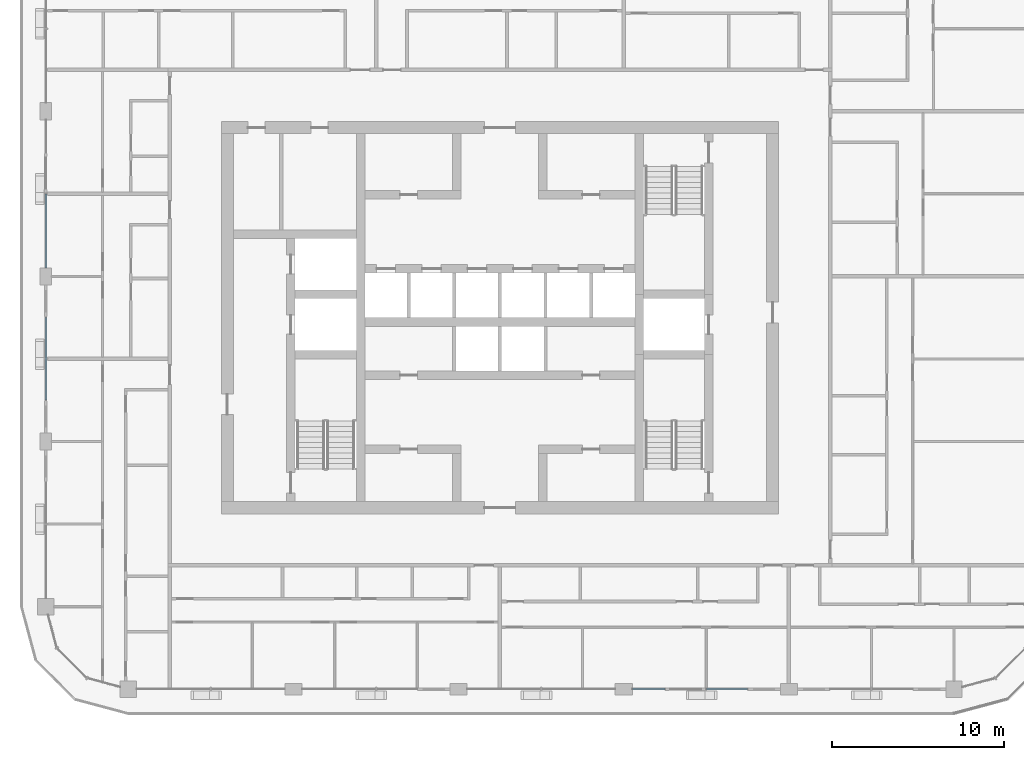
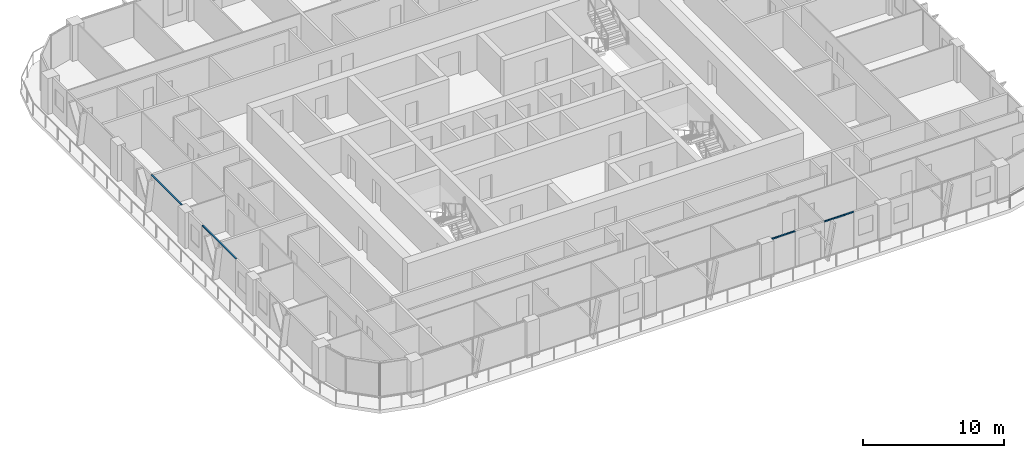
# One storey, part 3 of 22: 4 members, 3 elements without a shape of their own.
"""IFC4 building model written with IfcOpenShell, lengths in metres."""

import ifcopenshell
import ifcopenshell.guid

model = None  # the IFC model being written
_history = None  # IfcOwnerHistory: only IFC2X3 demands one
_inside = {}  # id of a spatial element -> (the spatial element, [elements in it])
_under = {}  # id of a project, library or spatial element -> (it, [spatial elements below it])
_declared = {}  # id of a project -> (the project, [libraries it declares])
_typed = {}  # id of a type object -> (the type object, [elements of that type])
_made_of = {}  # id of a material, layer set ... -> (it, [elements and type objects made of it])


def new_model(schema):
    """Start an empty IFC model of exactly this schema.

    Asked for "IFC4X3", IfcOpenShell would pick the latest addendum, in which some entities
    have other attributes; the version numbers below select the first issue.
    IFC2X3 requires an IfcOwnerHistory on every rooted entity: one is made here for all.
    """
    global model, _history
    if schema == "IFC4X3":
        model = ifcopenshell.file(schema_version=(4, 3, 0, 0))
    else:
        model = ifcopenshell.file(schema=schema)
    _inside.clear()
    _under.clear()
    _declared.clear()
    _typed.clear()
    _made_of.clear()
    _history = None
    if model.schema == "IFC2X3":
        org = make("IfcOrganization", Name="unknown")
        user = make(
            "IfcPersonAndOrganization",
            ThePerson=make("IfcPerson", FamilyName="unknown"),
            TheOrganization=org,
        )
        app = make(
            "IfcApplication",
            ApplicationDeveloper=org,
            Version="unknown",
            ApplicationFullName="unknown",
            ApplicationIdentifier="unknown",
        )
        _history = make(
            "IfcOwnerHistory",
            OwningUser=user,
            OwningApplication=app,
            ChangeAction="ADDED",
            CreationDate=0,
        )
    return model


def make(cls, **values):
    """One entity of the class cls with the attributes given. An attribute that is None is left unset."""
    return model.create_entity(
        cls, **{name: value for name, value in values.items() if value is not None}
    )


def rooted(cls, **values):
    """An entity with a GlobalId (a new one), such as an element, a storey or a relation."""
    return make(cls, GlobalId=ifcopenshell.guid.new(), OwnerHistory=_history, **values)


def si_unit(unit_type, name, prefix=None):
    """IfcSIUnit, for example si_unit("LENGTHUNIT", "METRE", prefix="MILLI")."""
    return make("IfcSIUnit", UnitType=unit_type, Prefix=prefix, Name=name)


def assignment(units):
    """IfcUnitAssignment: the units of a project."""
    return None if units is None else make("IfcUnitAssignment", Units=units)


def point(xyz):
    """IfcCartesianPoint."""
    return None if xyz is None else make("IfcCartesianPoint", Coordinates=xyz)


def direction(xyz):
    """IfcDirection."""
    return None if xyz is None else make("IfcDirection", DirectionRatios=xyz)


def frame(location, z_axis=None, x_axis=None):
    """IfcAxis2Placement3D, a coordinate frame: its origin and axes. An axis left out is left unset."""
    return make(
        "IfcAxis2Placement3D",
        Location=point(location),
        Axis=direction(z_axis),
        RefDirection=direction(x_axis),
    )


def frame_2d(location, x_axis=None):
    """IfcAxis2Placement2D, a coordinate frame in the plane: its origin and x axis."""
    return make(
        "IfcAxis2Placement2D", Location=point(location), RefDirection=direction(x_axis)
    )


def origin():
    """The frame at (0, 0, 0) with its axes left unset."""
    return frame((0.0, 0.0, 0.0))


def origin_2d():
    """The frame at (0, 0) in the plane with its x axis left unset."""
    return frame_2d((0.0, 0.0))


def place(relative_to, where):
    """IfcLocalPlacement: puts the frame where relative to a parent placement (None: the world)."""
    return make(
        "IfcLocalPlacement", PlacementRelTo=relative_to, RelativePlacement=where
    )


def context(
    kind, dimensions, precision=None, world=None, true_north=None, identifier=None
):
    """IfcGeometricRepresentationContext, for example the 3D "Model" context."""
    return make(
        "IfcGeometricRepresentationContext",
        ContextIdentifier=identifier,
        ContextType=kind,
        CoordinateSpaceDimension=dimensions,
        Precision=precision,
        WorldCoordinateSystem=world,
        TrueNorth=true_north,
    )


def subcontext(parent, identifier, kind, view, scale=None):
    """IfcGeometricRepresentationSubContext, for example "Body" below "Model"."""
    return make(
        "IfcGeometricRepresentationSubContext",
        ContextIdentifier=identifier,
        ContextType=kind,
        ParentContext=parent,
        TargetScale=scale,
        TargetView=view,
    )


def project(units=None, contexts=None):
    """IfcProject with its units and contexts."""
    return rooted(
        "IfcProject",
        Name="project",
        RepresentationContexts=contexts,
        UnitsInContext=assignment(units),
    )


def spatial(cls, under=None, at=None, **own):
    """A site, building, storey or space (cls), placed at a placement, below another one or the project."""
    s = rooted(cls, ObjectPlacement=at, **own)
    if under is not None:
        _under.setdefault(under.id(), (under, []))[1].append(s)
    return s


def profile(cls, at=None, kind="AREA", **sizes):
    """A parametric profile (cls). Its sizes go by their IFC names, for example OverallWidth=200.0."""
    return make(cls, ProfileType=kind, Position=at, **sizes)


def rectangle(**sizes):
    """IfcRectangleProfileDef."""
    return profile("IfcRectangleProfileDef", **sizes)


def extrude(swept, where, along, depth):
    """IfcExtrudedAreaSolid: the profile swept, set in the frame where, extruded along a direction by depth."""
    return make(
        "IfcExtrudedAreaSolid",
        SweptArea=swept,
        Position=where,
        ExtrudedDirection=direction(along),
        Depth=depth,
    )


def shape(context_of_items, identifier, shape_type, items):
    """IfcShapeRepresentation: the items that make up one representation, for example the "Body"."""
    return make(
        "IfcShapeRepresentation",
        ContextOfItems=context_of_items,
        RepresentationIdentifier=identifier,
        RepresentationType=shape_type,
        Items=items,
    )


def material(Name=None, Category=None):
    """IfcMaterial."""
    return make("IfcMaterial", Name=Name, Category=Category)


def layer(
    of_material, thickness, ventilated=None, Name=None, Category=None, Priority=None
):
    """IfcMaterialLayer: one layer of a wall or slab, of a material (None: an air gap)."""
    return make(
        "IfcMaterialLayer",
        Material=of_material,
        LayerThickness=thickness,
        IsVentilated=ventilated,
        Name=Name,
        Category=Category,
        Priority=Priority,
    )


def layer_set(layers, Name=None):
    """IfcMaterialLayerSet."""
    return make("IfcMaterialLayerSet", MaterialLayers=layers, LayerSetName=Name)


def material_profile(
    of_material, cross_section, Name=None, Category=None, Priority=None
):
    """IfcMaterialProfile: a cross section and its material."""
    return make(
        "IfcMaterialProfile",
        Name=Name,
        Material=of_material,
        Profile=cross_section,
        Priority=Priority,
        Category=Category,
    )


def profile_set(profiles, Name=None, composite=None):
    """IfcMaterialProfileSet."""
    return make(
        "IfcMaterialProfileSet",
        Name=Name,
        MaterialProfiles=profiles,
        CompositeProfile=composite,
    )


def made_of(thing, what):
    """Note that an element or type object is made of a material, layer set ...; save() writes the relation."""
    if what is not None:
        _made_of.setdefault(what.id(), (what, []))[1].append(thing)
    return thing


def type_object(cls, material=None, **own):
    """A type object (cls), such as IfcWallType, which elements share."""
    return made_of(rooted(cls, **own), material)


def element(
    cls,
    number,
    at=None,
    inside=None,
    cuts=None,
    type_object=None,
    material=None,
    context=None,
    identifier="Body",
    shape_type=None,
    held_by="IfcProductDefinitionShape",
    body=None,
    shapes=None,
    **own,
):
    """One element of the class cls, such as IfcWall. Its Tag is "e" and its number.

    at: its placement. inside: the storey or other place that contains it. cuts: it is an
    opening in that element (IfcRelVoidsElement). A single representation is given by context,
    identifier, shape_type and body (its items); several are given by shapes. held_by: the class
    of the entity that holds the representations. save() writes the other relations.
    """
    e = rooted(cls, Tag="e%d" % number, ObjectPlacement=at, **own)
    if body is not None:
        shapes = [shape(context, identifier, shape_type, body)]
    if shapes is not None:
        e.Representation = make(held_by, Representations=shapes)
    if inside is not None:
        _inside.setdefault(inside.id(), (inside, []))[1].append(e)
    if cuts is not None:
        rooted(
            "IfcRelVoidsElement", RelatingBuildingElement=cuts, RelatedOpeningElement=e
        )
    if type_object is not None:
        _typed.setdefault(type_object.id(), (type_object, []))[1].append(e)
    return made_of(e, material)


def aggregate(whole, parts):
    """IfcRelAggregates: a whole, such as a stair, and the parts it consists of."""
    return rooted("IfcRelAggregates", RelatingObject=whole, RelatedObjects=parts)


def save(model, path):
    """Write the relations noted so far, then the file.

    IfcRelAggregates (storeys below a building ...), IfcRelContainedInSpatialStructure (elements
    in a storey), IfcRelDefinesByType, IfcRelAssociatesMaterial and IfcRelDeclares: one each for
    every whole, place, type object, material and project.
    """
    for whole, parts in _under.values():
        aggregate(whole, parts)
    for where, things in _inside.values():
        rooted(
            "IfcRelContainedInSpatialStructure",
            RelatedElements=things,
            RelatingStructure=where,
        )
    for kind, things in _typed.values():
        rooted("IfcRelDefinesByType", RelatedObjects=things, RelatingType=kind)
    for what, things in _made_of.values():
        rooted("IfcRelAssociatesMaterial", RelatedObjects=things, RelatingMaterial=what)
    for by, libraries in _declared.values():
        rooted("IfcRelDeclares", RelatingContext=by, RelatedDefinitions=libraries)
    model.write(path)


model = new_model("IFC4")

# Units and contexts
model_context = context("Model", 3, precision=1e-05, world=origin(), true_north=direction((0.0, 1.0)))
body_context = subcontext(model_context, "Body", "Model", "MODEL_VIEW")
ifc_project = project(units=[si_unit("LENGTHUNIT", "METRE"), si_unit("AREAUNIT", "SQUARE_METRE"), si_unit("VOLUMEUNIT", "CUBIC_METRE"), si_unit("PLANEANGLEUNIT", "RADIAN"), si_unit("MASSUNIT", "GRAM", prefix="KILO")], contexts=[model_context])

# Site, building, storey
site_placement = place(None, origin())
site = spatial("IfcSite", under=ifc_project, at=site_placement, CompositionType="ELEMENT")
building_placement = place(site_placement, origin())
building = spatial("IfcBuilding", under=site, at=building_placement, Name="Madar Terraces", CompositionType="ELEMENT")
storey_placement = place(building_placement, frame((0.0, 0.0, 229.800048828125)))
storey = spatial("IfcBuildingStorey", under=building, at=storey_placement, Name="L60", CompositionType="ELEMENT", Elevation=229.800048828125)

# Curtain wall, members
ifc_material_1 = material(Name="Glass, ceramic frit dark grey, with black aluminium frame", Category="aluminium")
ifc_layer = layer(ifc_material_1, 0.199951171875)
ifc_layer_set = layer_set([ifc_layer], Name="Facade curtain wall, fritted glass")
curtain_wall_type = type_object("IfcCurtainWallType", Name="Facade curtain wall, fritted glass", PredefinedType="NOTDEFINED", material=ifc_layer_set)
curtain_wall_1_placement = place(storey_placement, origin())
curtain_wall_1 = element("IfcCurtainWall", 1, at=curtain_wall_1_placement, inside=storey, type_object=curtain_wall_type, Name="Outer skin curtain wall south bay 4", PredefinedType="NOTDEFINED")
ifc_material_2 = material(Name="Aluminium, black anodised", Category="aluminium")
ifc_material_profile = material_profile(ifc_material_2, rectangle(XDim=0.1201171875, YDim=0.06005859375, at=origin_2d()), Name="Facade transom 60x120")
ifc_profile_set = profile_set([ifc_material_profile], Name="Aluminium, black anodised")
member_type = type_object("IfcMemberType", Name="Facade transom 60x120", PredefinedType="USERDEFINED", material=ifc_profile_set)
member_1_placement = place(storey_placement, frame((38.89990234375, 4.800048828125, 3.070068359375), z_axis=(1.0, 0.0, 0.0), x_axis=(0.0, 1.0, 0.0)))
member_1 = element("IfcMember", 2, at=member_1_placement, type_object=member_type, Name="Transom 1", ObjectType="TRANSOM", PredefinedType="USERDEFINED", context=body_context, shape_type="SweptSolid", body=[
    extrude(rectangle(XDim=0.1201171875, YDim=0.06005859375, at=origin_2d()), origin(), (0.0, 0.0, 1.0), 1.900146484375),
])
member_2_placement = place(storey_placement, frame((43.199951171875, 4.800048828125, 3.070068359375), z_axis=(1.0, 0.0, 0.0), x_axis=(0.0, 1.0, 0.0)))
member_2 = element("IfcMember", 3, at=member_2_placement, type_object=member_type, Name="Transom 2", ObjectType="TRANSOM", PredefinedType="USERDEFINED", context=body_context, shape_type="SweptSolid", body=[
    extrude(rectangle(XDim=0.1201171875, YDim=0.06005859375, at=origin_2d()), origin(), (0.0, 0.0, 1.0), 2.400146484375),
])
aggregate(curtain_wall_1, [member_1, member_2])

# Curtain wall, member
curtain_wall_2_placement = place(storey_placement, origin())
curtain_wall_2 = element("IfcCurtainWall", 4, at=curtain_wall_2_placement, inside=storey, type_object=curtain_wall_type, Name="Outer skin curtain wall west bay 2", PredefinedType="NOTDEFINED")
member_3_placement = place(storey_placement, frame((4.800048828125, 33.60009765625, 3.070068359375), z_axis=(0.0, -1.0, 0.0), x_axis=(1.0, 0.0, 0.0)))
member_3 = element("IfcMember", 5, at=member_3_placement, type_object=member_type, Name="Transom 2", ObjectType="TRANSOM", PredefinedType="USERDEFINED", context=body_context, shape_type="SweptSolid", body=[
    extrude(rectangle(XDim=0.1201171875, YDim=0.06005859375, at=origin_2d()), origin(), (0.0, 0.0, 1.0), 4.300048828125),
])
aggregate(curtain_wall_2, [member_3])

curtain_wall_3_placement = place(storey_placement, origin())
curtain_wall_3 = element("IfcCurtainWall", 6, at=curtain_wall_3_placement, inside=storey, type_object=curtain_wall_type, Name="Outer skin curtain wall west bay 3", PredefinedType="NOTDEFINED")
member_4_placement = place(storey_placement, frame((4.800048828125, 26.39990234375, 3.070068359375), z_axis=(0.0, -1.0, 0.0), x_axis=(1.0, 0.0, 0.0)))
member_4 = element("IfcMember", 7, at=member_4_placement, type_object=member_type, Name="Transom 1", ObjectType="TRANSOM", PredefinedType="USERDEFINED", context=body_context, shape_type="SweptSolid", body=[
    extrude(rectangle(XDim=0.1201171875, YDim=0.06005859375, at=origin_2d()), origin(), (0.0, 0.0, 1.0), 4.7998046875),
])
aggregate(curtain_wall_3, [member_4])

save(model, "model.ifc")
